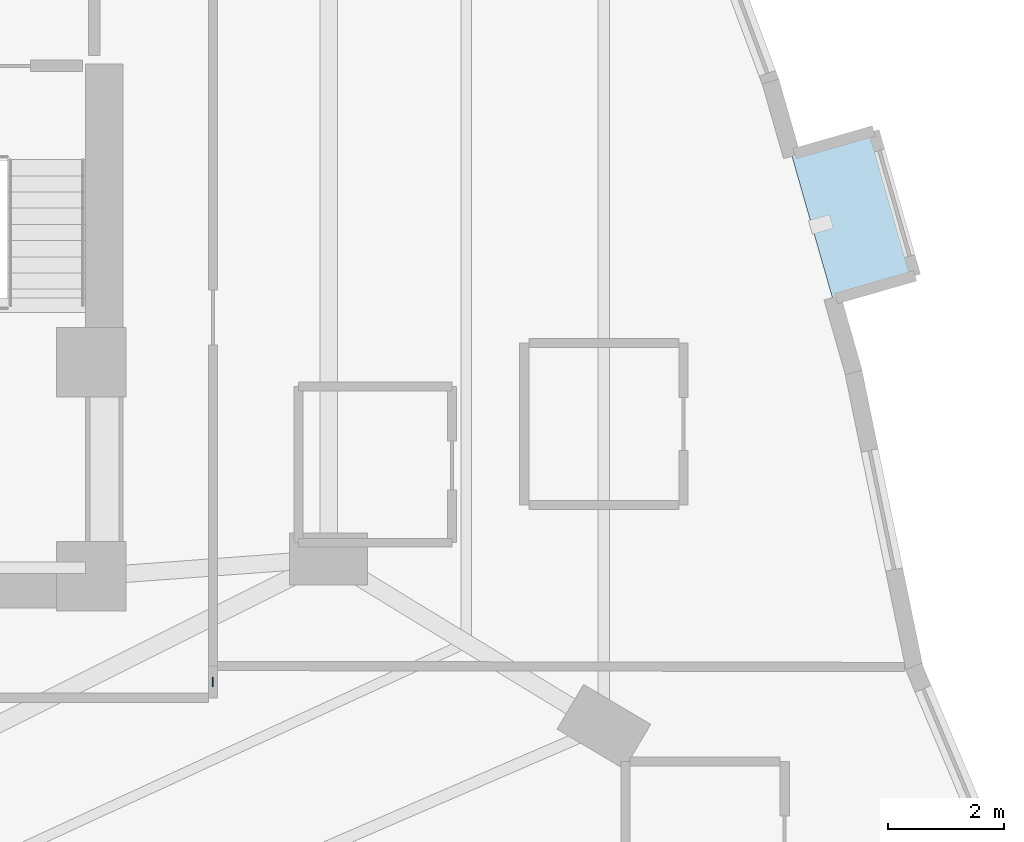
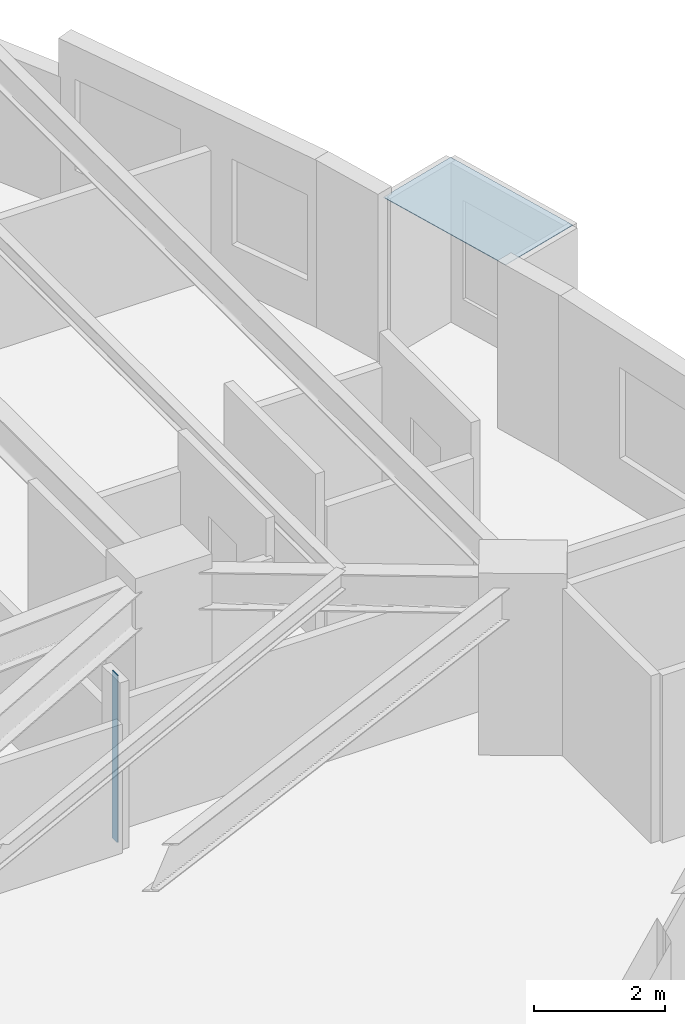
# One storey, part 4 of 15: 2 plates.
"""IFC4 building model written with IfcOpenShell, lengths in metres."""

from ifc_helpers import new_model, si_unit, direction, frame, origin, origin_2d, place, context, subcontext, project, spatial, polyline, rectangle, outline, extrude, material, layer, layer_set, type_object, element, save


model = new_model("IFC4")

# Units and contexts
model_context = context("Model", 3, precision=1e-05, world=origin(), true_north=direction((0.0, 1.0)))
body_context = subcontext(model_context, "Body", "Model", "MODEL_VIEW")
ifc_project = project(units=[si_unit("LENGTHUNIT", "METRE"), si_unit("AREAUNIT", "SQUARE_METRE"), si_unit("VOLUMEUNIT", "CUBIC_METRE"), si_unit("PLANEANGLEUNIT", "RADIAN"), si_unit("MASSUNIT", "GRAM", prefix="KILO")], contexts=[model_context])

# Site, building, storey
site_placement = place(None, origin())
site = spatial("IfcSite", under=ifc_project, at=site_placement, CompositionType="ELEMENT")
building_placement = place(site_placement, origin())
building = spatial("IfcBuilding", under=site, at=building_placement, Name="Miruveldt Soraemaru", CompositionType="ELEMENT")
storey_placement = place(building_placement, frame((0.0, 0.0, 83.60009765625)))
storey = spatial("IfcBuildingStorey", under=building, at=storey_placement, Name="L23", CompositionType="ELEMENT", Elevation=83.60009765625)

# Plates
ifc_material_1 = material(Name="Anodised aluminium EN AW-6063 T6", Category="aluminium")
ifc_layer_1 = layer(ifc_material_1, 0.02001953125, Name="Anodised aluminium EN AW-6063 T6", Category="aluminium")
ifc_layer_set_1 = layer_set([ifc_layer_1], Name="Anodised aluminium EN AW-6063 T6")
plate_type_1 = type_object("IfcPlateType", Name="PLT-PART-TRIM", PredefinedType="SHEET", material=ifc_layer_set_1)
plate_1_placement = place(storey_placement, frame((54.60009765625, 33.675048828125, 0.0), z_axis=(0.0, 0.0, 1.0), x_axis=(0.0, 1.0, 0.0)))
element("IfcPlate", 1, at=plate_1_placement, inside=storey, type_object=plate_type_1, Name="L23 Partition Step Corner Trim Plate 012", PredefinedType="SHEET", context=body_context, shape_type="SweptSolid", body=[
    extrude(rectangle(XDim=0.159912109375, YDim=0.02001953125, at=origin_2d()), origin(), (0.0, 0.0, 1.0), 3.125),
])
ifc_material_2 = material(Name="Standing-seam titanium-zinc sheet", Category="aluminium")
ifc_layer_2 = layer(ifc_material_2, 0.011962890625, Name="Standing-seam titanium-zinc sheet", Category="aluminium")
ifc_layer_set_2 = layer_set([ifc_layer_2], Name="Standing-seam titanium-zinc sheet")
plate_type_2 = type_object("IfcPlateType", Name="PLT-ZINC-12", PredefinedType="SHEET", material=ifc_layer_set_2)
plate_2_placement = place(storey_placement, frame((0.0, 0.0, 2.974853515625)))
element("IfcPlate", 2, at=plate_2_placement, inside=storey, type_object=plate_type_2, Name="L23 Bay Window Zinc Hood Sheet 4", PredefinedType="SHEET", context=body_context, shape_type="SweptSolid", body=[
    extrude(outline(polyline([(65.31201171875, 40.285888671875), (64.596923828125, 42.78564453125), (66.02001953125, 43.192626953125), (66.73486328125, 40.69287109375), (65.31201171875, 40.285888671875)])), origin(), (0.0, 0.0, 1.0), 0.011962890625),
])

save(model, "model.ifc")
